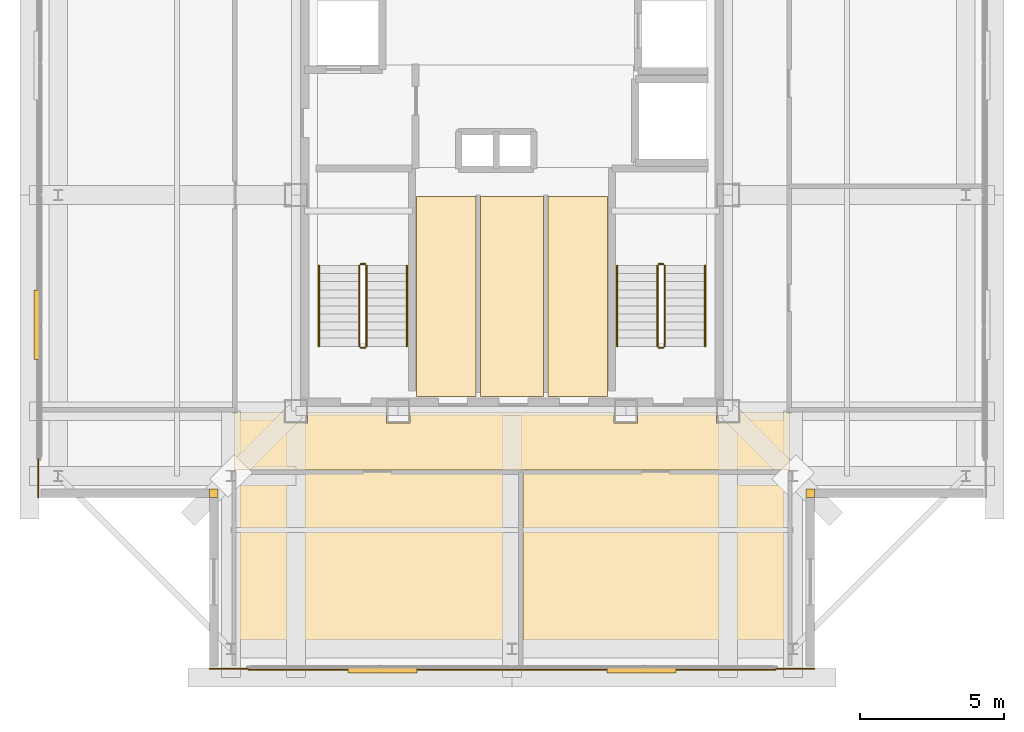
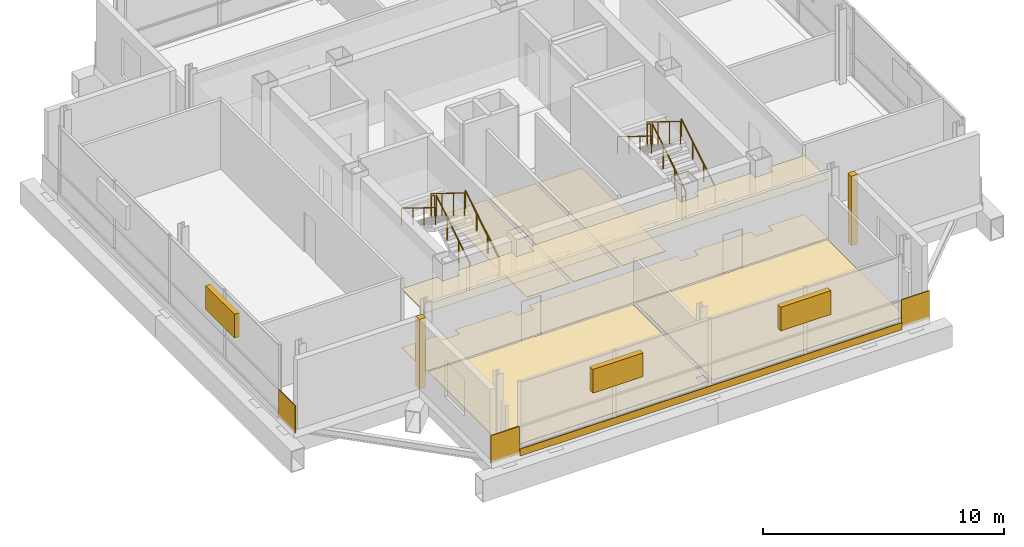
# One storey, part 11 of 12: 13 coverings, 12 railings, 3 shading devices.
"""IFC4 building model written with IfcOpenShell, lengths in metres."""

import ifcopenshell
import ifcopenshell.guid

model = None  # the IFC model being written
_history = None  # IfcOwnerHistory: only IFC2X3 demands one
_inside = {}  # id of a spatial element -> (the spatial element, [elements in it])
_under = {}  # id of a project, library or spatial element -> (it, [spatial elements below it])
_declared = {}  # id of a project -> (the project, [libraries it declares])
_typed = {}  # id of a type object -> (the type object, [elements of that type])
_made_of = {}  # id of a material, layer set ... -> (it, [elements and type objects made of it])


def new_model(schema):
    """Start an empty IFC model of exactly this schema.

    Asked for "IFC4X3", IfcOpenShell would pick the latest addendum, in which some entities
    have other attributes; the version numbers below select the first issue.
    IFC2X3 requires an IfcOwnerHistory on every rooted entity: one is made here for all.
    """
    global model, _history
    if schema == "IFC4X3":
        model = ifcopenshell.file(schema_version=(4, 3, 0, 0))
    else:
        model = ifcopenshell.file(schema=schema)
    _inside.clear()
    _under.clear()
    _declared.clear()
    _typed.clear()
    _made_of.clear()
    _history = None
    if model.schema == "IFC2X3":
        org = make("IfcOrganization", Name="unknown")
        user = make(
            "IfcPersonAndOrganization",
            ThePerson=make("IfcPerson", FamilyName="unknown"),
            TheOrganization=org,
        )
        app = make(
            "IfcApplication",
            ApplicationDeveloper=org,
            Version="unknown",
            ApplicationFullName="unknown",
            ApplicationIdentifier="unknown",
        )
        _history = make(
            "IfcOwnerHistory",
            OwningUser=user,
            OwningApplication=app,
            ChangeAction="ADDED",
            CreationDate=0,
        )
    return model


def make(cls, **values):
    """One entity of the class cls with the attributes given. An attribute that is None is left unset."""
    return model.create_entity(
        cls, **{name: value for name, value in values.items() if value is not None}
    )


def rooted(cls, **values):
    """An entity with a GlobalId (a new one), such as an element, a storey or a relation."""
    return make(cls, GlobalId=ifcopenshell.guid.new(), OwnerHistory=_history, **values)


def si_unit(unit_type, name, prefix=None):
    """IfcSIUnit, for example si_unit("LENGTHUNIT", "METRE", prefix="MILLI")."""
    return make("IfcSIUnit", UnitType=unit_type, Prefix=prefix, Name=name)


def assignment(units):
    """IfcUnitAssignment: the units of a project."""
    return None if units is None else make("IfcUnitAssignment", Units=units)


def point(xyz):
    """IfcCartesianPoint."""
    return None if xyz is None else make("IfcCartesianPoint", Coordinates=xyz)


def direction(xyz):
    """IfcDirection."""
    return None if xyz is None else make("IfcDirection", DirectionRatios=xyz)


def frame(location, z_axis=None, x_axis=None):
    """IfcAxis2Placement3D, a coordinate frame: its origin and axes. An axis left out is left unset."""
    return make(
        "IfcAxis2Placement3D",
        Location=point(location),
        Axis=direction(z_axis),
        RefDirection=direction(x_axis),
    )


def frame_2d(location, x_axis=None):
    """IfcAxis2Placement2D, a coordinate frame in the plane: its origin and x axis."""
    return make(
        "IfcAxis2Placement2D", Location=point(location), RefDirection=direction(x_axis)
    )


def origin():
    """The frame at (0, 0, 0) with its axes left unset."""
    return frame((0.0, 0.0, 0.0))


def origin_2d():
    """The frame at (0, 0) in the plane with its x axis left unset."""
    return frame_2d((0.0, 0.0))


def place(relative_to, where):
    """IfcLocalPlacement: puts the frame where relative to a parent placement (None: the world)."""
    return make(
        "IfcLocalPlacement", PlacementRelTo=relative_to, RelativePlacement=where
    )


def context(
    kind, dimensions, precision=None, world=None, true_north=None, identifier=None
):
    """IfcGeometricRepresentationContext, for example the 3D "Model" context."""
    return make(
        "IfcGeometricRepresentationContext",
        ContextIdentifier=identifier,
        ContextType=kind,
        CoordinateSpaceDimension=dimensions,
        Precision=precision,
        WorldCoordinateSystem=world,
        TrueNorth=true_north,
    )


def subcontext(parent, identifier, kind, view, scale=None):
    """IfcGeometricRepresentationSubContext, for example "Body" below "Model"."""
    return make(
        "IfcGeometricRepresentationSubContext",
        ContextIdentifier=identifier,
        ContextType=kind,
        ParentContext=parent,
        TargetScale=scale,
        TargetView=view,
    )


def project(units=None, contexts=None):
    """IfcProject with its units and contexts."""
    return rooted(
        "IfcProject",
        Name="project",
        RepresentationContexts=contexts,
        UnitsInContext=assignment(units),
    )


def spatial(cls, under=None, at=None, **own):
    """A site, building, storey or space (cls), placed at a placement, below another one or the project."""
    s = rooted(cls, ObjectPlacement=at, **own)
    if under is not None:
        _under.setdefault(under.id(), (under, []))[1].append(s)
    return s


def polyline(points):
    """IfcPolyline through the points."""
    return make("IfcPolyline", Points=[point(p) for p in points])


def profile(cls, at=None, kind="AREA", **sizes):
    """A parametric profile (cls). Its sizes go by their IFC names, for example OverallWidth=200.0."""
    return make(cls, ProfileType=kind, Position=at, **sizes)


def rectangle(**sizes):
    """IfcRectangleProfileDef."""
    return profile("IfcRectangleProfileDef", **sizes)


def circle(**sizes):
    """IfcCircleProfileDef."""
    return profile("IfcCircleProfileDef", **sizes)


def outline(outer, holes=None, kind="AREA"):
    """IfcArbitraryClosedProfileDef: a profile drawn as a closed curve; with holes, ...WithVoids."""
    if holes is None:
        return make("IfcArbitraryClosedProfileDef", ProfileType=kind, OuterCurve=outer)
    return make(
        "IfcArbitraryProfileDefWithVoids",
        ProfileType=kind,
        OuterCurve=outer,
        InnerCurves=holes,
    )


def extrude(swept, where, along, depth):
    """IfcExtrudedAreaSolid: the profile swept, set in the frame where, extruded along a direction by depth."""
    return make(
        "IfcExtrudedAreaSolid",
        SweptArea=swept,
        Position=where,
        ExtrudedDirection=direction(along),
        Depth=depth,
    )


def shape(context_of_items, identifier, shape_type, items):
    """IfcShapeRepresentation: the items that make up one representation, for example the "Body"."""
    return make(
        "IfcShapeRepresentation",
        ContextOfItems=context_of_items,
        RepresentationIdentifier=identifier,
        RepresentationType=shape_type,
        Items=items,
    )


def material(Name=None, Category=None):
    """IfcMaterial."""
    return make("IfcMaterial", Name=Name, Category=Category)


def layer(
    of_material, thickness, ventilated=None, Name=None, Category=None, Priority=None
):
    """IfcMaterialLayer: one layer of a wall or slab, of a material (None: an air gap)."""
    return make(
        "IfcMaterialLayer",
        Material=of_material,
        LayerThickness=thickness,
        IsVentilated=ventilated,
        Name=Name,
        Category=Category,
        Priority=Priority,
    )


def layer_set(layers, Name=None):
    """IfcMaterialLayerSet."""
    return make("IfcMaterialLayerSet", MaterialLayers=layers, LayerSetName=Name)


def made_of(thing, what):
    """Note that an element or type object is made of a material, layer set ...; save() writes the relation."""
    if what is not None:
        _made_of.setdefault(what.id(), (what, []))[1].append(thing)
    return thing


def type_object(cls, material=None, **own):
    """A type object (cls), such as IfcWallType, which elements share."""
    return made_of(rooted(cls, **own), material)


def element(
    cls,
    number,
    at=None,
    inside=None,
    cuts=None,
    type_object=None,
    material=None,
    context=None,
    identifier="Body",
    shape_type=None,
    held_by="IfcProductDefinitionShape",
    body=None,
    shapes=None,
    **own,
):
    """One element of the class cls, such as IfcWall. Its Tag is "e" and its number.

    at: its placement. inside: the storey or other place that contains it. cuts: it is an
    opening in that element (IfcRelVoidsElement). A single representation is given by context,
    identifier, shape_type and body (its items); several are given by shapes. held_by: the class
    of the entity that holds the representations. save() writes the other relations.
    """
    e = rooted(cls, Tag="e%d" % number, ObjectPlacement=at, **own)
    if body is not None:
        shapes = [shape(context, identifier, shape_type, body)]
    if shapes is not None:
        e.Representation = make(held_by, Representations=shapes)
    if inside is not None:
        _inside.setdefault(inside.id(), (inside, []))[1].append(e)
    if cuts is not None:
        rooted(
            "IfcRelVoidsElement", RelatingBuildingElement=cuts, RelatedOpeningElement=e
        )
    if type_object is not None:
        _typed.setdefault(type_object.id(), (type_object, []))[1].append(e)
    return made_of(e, material)


def aggregate(whole, parts):
    """IfcRelAggregates: a whole, such as a stair, and the parts it consists of."""
    return rooted("IfcRelAggregates", RelatingObject=whole, RelatedObjects=parts)


def save(model, path):
    """Write the relations noted so far, then the file.

    IfcRelAggregates (storeys below a building ...), IfcRelContainedInSpatialStructure (elements
    in a storey), IfcRelDefinesByType, IfcRelAssociatesMaterial and IfcRelDeclares: one each for
    every whole, place, type object, material and project.
    """
    for whole, parts in _under.values():
        aggregate(whole, parts)
    for where, things in _inside.values():
        rooted(
            "IfcRelContainedInSpatialStructure",
            RelatedElements=things,
            RelatingStructure=where,
        )
    for kind, things in _typed.values():
        rooted("IfcRelDefinesByType", RelatedObjects=things, RelatingType=kind)
    for what, things in _made_of.values():
        rooted("IfcRelAssociatesMaterial", RelatedObjects=things, RelatingMaterial=what)
    for by, libraries in _declared.values():
        rooted("IfcRelDeclares", RelatingContext=by, RelatedDefinitions=libraries)
    model.write(path)


model = new_model("IFC4")

# Units and contexts
model_context = context("Model", 3, precision=1e-05, world=origin(), true_north=direction((0.0, 1.0)))
body_context = subcontext(model_context, "Body", "Model", "MODEL_VIEW")
ifc_project = project(units=[si_unit("LENGTHUNIT", "METRE"), si_unit("AREAUNIT", "SQUARE_METRE"), si_unit("VOLUMEUNIT", "CUBIC_METRE"), si_unit("PLANEANGLEUNIT", "RADIAN"), si_unit("MASSUNIT", "GRAM", prefix="KILO")], contexts=[model_context])

# Site, building, storey
site_placement = place(None, origin())
site = spatial("IfcSite", under=ifc_project, at=site_placement, CompositionType="ELEMENT")
building_placement = place(site_placement, origin())
building = spatial("IfcBuilding", under=site, at=building_placement, Name="Trevonay Congress Spire", CompositionType="ELEMENT")
storey_placement = place(building_placement, frame((0.0, 0.0, 308.39990234375)))
storey = spatial("IfcBuildingStorey", under=building, at=storey_placement, Name="L81", CompositionType="ELEMENT", Elevation=308.39990234375)

# Coverings
ifc_material_1 = material(Name="Acoustic Mineral Fibre Board", Category="gypsum")
ifc_layer_1 = layer(ifc_material_1, 0.02490234375, Name="Acoustic Mineral Fibre Board")
ifc_layer_set_1 = layer_set([ifc_layer_1], Name="Acoustic Mineral Fibre Board")
covering_type_1 = type_object("IfcCoveringType", Name="COV-CEIL-ACOUSTIC", PredefinedType="CEILING", material=ifc_layer_set_1)
covering_1_placement = place(storey_placement, frame((0.0, 0.0, 2.97021484375)))
element("IfcCovering", 1, at=covering_1_placement, inside=storey, type_object=covering_type_1, Name="L81 Crown Gallery Corridor South acoustic suspended ceiling", PredefinedType="CEILING", context=body_context, shape_type="SweptSolid", body=[
    extrude(outline(polyline([(-9.570068359375, -9.550048828125), (-9.570068359375, -9.54345703125), (-9.64990234375, -9.54345703125), (-9.64990234375, -7.550048828125), (-7.909912109375, -7.550048828125), (-7.909912109375, -7.909912109375), (-7.090087890625, -7.909912109375), (-7.090087890625, -7.550048828125), (-4.360107421875, -7.550048828125), (-4.360107421875, -7.909912109375), (-3.5400390625, -7.909912109375), (-3.5400390625, -7.550048828125), (3.5400390625, -7.550048828125), (3.5400390625, -7.909912109375), (4.360107421875, -7.909912109375), (4.360107421875, -7.550048828125), (7.090087890625, -7.550048828125), (7.090087890625, -7.909912109375), (7.909912109375, -7.909912109375), (7.909912109375, -7.550048828125), (9.64990234375, -7.550048828125), (9.64990234375, -9.54345703125), (9.570068359375, -9.54345703125), (9.570068359375, -9.550048828125), (-9.570068359375, -9.550048828125)])), origin(), (0.0, 0.0, 1.0), 0.02490234375),
])
ifc_material_2 = material(Name="Polished Granite Floor Tile", Category="masonry")
ifc_layer_2 = layer(ifc_material_2, 0.02001953125, Name="Polished Granite Floor Tile")
ifc_layer_set_2 = layer_set([ifc_layer_2], Name="Polished Granite Floor Tile")
covering_type_2 = type_object("IfcCoveringType", Name="COV-FLOOR-STONE", PredefinedType="FLOORING", material=ifc_layer_set_2)
covering_2_placement = place(storey_placement, origin())
element("IfcCovering", 2, at=covering_2_placement, inside=storey, type_object=covering_type_2, Name="L81 Core AHU Fan Plant Room floor finish", PredefinedType="FLOORING", context=body_context, shape_type="SweptSolid", body=[
    extrude(outline(polyline([(-3.320068359375, -7.0), (-1.25, -7.0), (-1.25, -0.050048828125), (-3.320068359375, -0.050048828125), (-3.320068359375, -7.0)])), origin(), (0.0, 0.0, 1.0), 0.02001953125),
])
covering_3_placement = place(storey_placement, origin())
element("IfcCovering", 3, at=covering_3_placement, inside=storey, type_object=covering_type_2, Name="L81 Core IT Comms Store floor finish", PredefinedType="FLOORING", context=body_context, shape_type="SweptSolid", body=[
    extrude(outline(polyline([(-1.090087890625, -7.0), (1.090087890625, -7.0), (1.090087890625, -0.050048828125), (-1.090087890625, -0.050048828125), (-1.090087890625, -7.0)])), origin(), (0.0, 0.0, 1.0), 0.02001953125),
])
covering_4_placement = place(storey_placement, origin())
element("IfcCovering", 4, at=covering_4_placement, inside=storey, type_object=covering_type_2, Name="L81 Housekeeping Linen Store floor finish", PredefinedType="FLOORING", context=body_context, shape_type="SweptSolid", body=[
    extrude(outline(polyline([(1.25, -7.0), (3.320068359375, -7.0), (3.320068359375, -0.050048828125), (1.25, -0.050048828125), (1.25, -7.0)])), origin(), (0.0, 0.0, 1.0), 0.02001953125),
])
covering_5_placement = place(storey_placement, origin())
element("IfcCovering", 5, at=covering_5_placement, inside=storey, type_object=covering_type_2, Name="L81 Crown Gallery Corridor South floor finish", PredefinedType="FLOORING", context=body_context, shape_type="SweptSolid", body=[
    extrude(outline(polyline([(-9.570068359375, -9.550048828125), (-9.570068359375, -9.54345703125), (-9.64990234375, -9.54345703125), (-9.64990234375, -7.550048828125), (-7.909912109375, -7.550048828125), (-7.909912109375, -7.909912109375), (-7.090087890625, -7.909912109375), (-7.090087890625, -7.550048828125), (-4.360107421875, -7.550048828125), (-4.360107421875, -7.909912109375), (-3.5400390625, -7.909912109375), (-3.5400390625, -7.550048828125), (3.5400390625, -7.550048828125), (3.5400390625, -7.909912109375), (4.360107421875, -7.909912109375), (4.360107421875, -7.550048828125), (7.090087890625, -7.550048828125), (7.090087890625, -7.909912109375), (7.909912109375, -7.909912109375), (7.909912109375, -7.550048828125), (9.64990234375, -7.550048828125), (9.64990234375, -9.54345703125), (9.570068359375, -9.54345703125), (9.570068359375, -9.550048828125), (-9.570068359375, -9.550048828125)])), origin(), (0.0, 0.0, 1.0), 0.02001953125),
])
covering_6_placement = place(storey_placement, origin())
element("IfcCovering", 6, at=covering_6_placement, inside=storey, type_object=covering_type_2, Name="L81 Tuned Mass Damper Chamber South floor finish", PredefinedType="FLOORING", context=body_context, shape_type="SweptSolid", body=[
    extrude(outline(polyline([(0.219970703125, -9.6201171875), (0.219970703125, -16.050048828125), (-9.570068359375, -16.050048828125), (-9.570068359375, -9.95654296875), (-9.570068359375, -9.6201171875), (0.219970703125, -9.6201171875)]), holes=[polyline([(-0.1708984375, -15.946044921875), (0.1708984375, -15.946044921875), (0.1708984375, -15.553955078125), (-0.1708984375, -15.553955078125), (-0.1708984375, -15.946044921875)])]), origin(), (0.0, 0.0, 1.0), 0.02001953125),
])
covering_7_placement = place(storey_placement, origin())
element("IfcCovering", 7, at=covering_7_placement, inside=storey, type_object=covering_type_2, Name="L81 Damper Hydraulic Control Plant floor finish", PredefinedType="FLOORING", context=body_context, shape_type="SweptSolid", body=[
    extrude(outline(polyline([(9.570068359375, -16.050048828125), (0.3798828125, -16.050048828125), (0.3798828125, -9.6201171875), (9.570068359375, -9.6201171875), (9.570068359375, -9.95654296875), (9.570068359375, -16.050048828125)])), origin(), (0.0, 0.0, 1.0), 0.02001953125),
])
ifc_material_3 = material(Name="Pale Anodised Aluminium EN AW-6063-T6", Category="aluminium")
ifc_layer_3 = layer(ifc_material_3, 0.0400390625, Name="Pale Anodised Aluminium EN AW-6063-T6")
ifc_layer_set_3 = layer_set([ifc_layer_3], Name="Pale Anodised Aluminium EN AW-6063-T6")
covering_type_3 = type_object("IfcCoveringType", Name="COV-SPANDREL-PALE-METAL", PredefinedType="CLADDING", material=ifc_layer_set_3)
covering_8_placement = place(storey_placement, frame((-9.14990234375, -16.47998046875, -0.239990234375), z_axis=(0.0, 0.0, 1.0), x_axis=(1.0, 0.0, 0.0)))
element("IfcCovering", 8, at=covering_8_placement, inside=storey, type_object=covering_type_3, Name="L81 S pale-metal slab-edge spandrel cladding", PredefinedType="CLADDING", context=body_context, shape_type="SweptSolid", body=[
    extrude(rectangle(XDim=18.2998046875, YDim=0.0400390625, at=frame_2d((9.14990234375, 0.0))), origin(), (0.0, 0.0, 1.0), 0.360107421875),
])
covering_9_placement = place(storey_placement, origin())
element("IfcCovering", 9, at=covering_9_placement, inside=storey, type_object=covering_type_3, Name="L81 SW re-entrant notch corner closure trim", PredefinedType="CLADDING", context=body_context, shape_type="SweptSolid", body=[
    extrude(outline(polyline([(-10.5, -10.5), (-10.199951171875, -10.5), (-10.199951171875, -10.199951171875), (-10.5, -10.199951171875), (-10.5, -10.5)])), origin(), (0.0, 0.0, 1.0), 3.52001953125),
])
for number, where, z_axis, x_axis, name in (
    (10, (-16.43994140625, -9.14990234375, -0.14990234375), (0.0, 0.0, 1.0), (0.0, -1.0, 0.0), "L81 SW corner pier spandrel cladding 1"),
    (11, (-9.14990234375, -16.43994140625, -0.14990234375), (0.0, 0.0, 1.0), (-1.0, 0.0, 0.0), "L81 SW corner pier spandrel cladding 2"),
):
    element("IfcCovering", number, at=place(storey_placement, frame(where, z_axis=z_axis, x_axis=x_axis)), inside=storey, type_object=covering_type_3, Name=name, PredefinedType="CLADDING", context=body_context, shape_type="SweptSolid", body=[
        extrude(rectangle(XDim=1.35009765625, YDim=0.0400390625, at=frame_2d((0.675048828125, 0.0))), origin(), (0.0, 0.0, 1.0), 1.39990234375),
    ])
covering_10_placement = place(storey_placement, origin())
element("IfcCovering", 12, at=covering_10_placement, inside=storey, type_object=covering_type_3, Name="L81 SE re-entrant notch corner closure trim", PredefinedType="CLADDING", context=body_context, shape_type="SweptSolid", body=[
    extrude(outline(polyline([(10.199951171875, -10.5), (10.5, -10.5), (10.5, -10.199951171875), (10.199951171875, -10.199951171875), (10.199951171875, -10.5)])), origin(), (0.0, 0.0, 1.0), 3.52001953125),
])
covering_11_placement = place(storey_placement, frame((9.14990234375, -16.43994140625, -0.14990234375), z_axis=(0.0, 0.0, 1.0), x_axis=(1.0, 0.0, 0.0)))
element("IfcCovering", 13, at=covering_11_placement, inside=storey, type_object=covering_type_3, Name="L81 SE corner pier spandrel cladding 2", PredefinedType="CLADDING", context=body_context, shape_type="SweptSolid", body=[
    extrude(rectangle(XDim=1.35009765625, YDim=0.0400390625, at=frame_2d((0.675048828125, 0.0))), origin(), (0.0, 0.0, 1.0), 1.39990234375),
])

# Railings
railing_type_1 = type_object("IfcRailingType", Name="RAL-STAIR-GUARD-110", PredefinedType="GUARDRAIL", material=ifc_material_3)
railing_1_placement = place(storey_placement, frame((-5.050048828125, -5.25, 0.1728515625)))
element("IfcRailing", 14, at=railing_1_placement, inside=storey, type_object=railing_type_1, Name="L81 ST-1 stair guard 1", PredefinedType="GUARDRAIL", context=body_context, shape_type="SweptSolid", body=[
    extrude(circle(Radius=0.02392578125, at=origin_2d()), frame((0.0, 0.0, 1.1259765625), z_axis=(0.0, 0.851089632645, 0.525020415988), x_axis=(-1.0, 0.0, 0.0)), (0.0, 0.0, 1.0), 3.2900390625),
    extrude(circle(Radius=0.02099609375, at=origin_2d()), origin(), (0.0, 0.0, 1.0), 1.101806640625),
    extrude(circle(Radius=0.02099609375, at=origin_2d()), frame((0.0, 0.933349609375, 0.57568359375)), (0.0, 0.0, 1.0), 1.101806640625),
    extrude(circle(Radius=0.02099609375, at=origin_2d()), frame((0.0, 1.86669921875, 1.151611328125)), (0.0, 0.0, 1.0), 1.101806640625),
    extrude(circle(Radius=0.02099609375, at=origin_2d()), frame((0.0, 2.800048828125, 1.727294921875)), (0.0, 0.0, 1.0), 1.101806640625),
])
railing_2_placement = place(storey_placement, frame((-5.10009765625, -2.39990234375, 1.900146484375)))
element("IfcRailing", 15, at=railing_2_placement, inside=storey, type_object=railing_type_1, Name="L81 ST-1 stair guard 2", PredefinedType="GUARDRAIL", context=body_context, shape_type="SweptSolid", body=[
    extrude(circle(Radius=0.02392578125, at=origin_2d()), frame((0.0, 0.0, 1.1259765625), z_axis=(-1.0, 0.0, 0.0), x_axis=(0.0, -1.0, 0.0)), (0.0, 0.0, 1.0), 0.14990234375),
    extrude(circle(Radius=0.02099609375, at=origin_2d()), origin(), (0.0, 0.0, 1.0), 1.101806640625),
    extrude(circle(Radius=0.02099609375, at=origin_2d()), frame((-0.14990234375, 0.0, 0.0)), (0.0, 0.0, 1.0), 1.101806640625),
])
railing_3_placement = place(storey_placement, frame((-5.300048828125, -2.449951171875, 2.07275390625)))
element("IfcRailing", 16, at=railing_3_placement, inside=storey, type_object=railing_type_1, Name="L81 ST-1 stair guard 3", PredefinedType="GUARDRAIL", context=body_context, shape_type="SweptSolid", body=[
    extrude(circle(Radius=0.02392578125, at=origin_2d()), frame((0.0, 0.0, 1.1259765625), z_axis=(0.0, -0.851089632645, 0.525020415988), x_axis=(1.0, 0.0, 0.0)), (0.0, 0.0, 1.0), 3.2900390625),
    extrude(circle(Radius=0.02099609375, at=origin_2d()), origin(), (0.0, 0.0, 1.0), 1.101806640625),
    extrude(circle(Radius=0.02099609375, at=origin_2d()), frame((0.0, -0.933349609375, 0.57568359375)), (0.0, 0.0, 1.0), 1.101806640625),
    extrude(circle(Radius=0.02099609375, at=origin_2d()), frame((0.0, -1.86669921875, 1.151611328125)), (0.0, 0.0, 1.0), 1.101806640625),
    extrude(circle(Radius=0.02099609375, at=origin_2d()), frame((0.0, -2.800048828125, 1.727294921875)), (0.0, 0.0, 1.0), 1.101806640625),
])
railing_4_placement = place(storey_placement, frame((-5.10009765625, -5.300048828125, 0.0)))
element("IfcRailing", 17, at=railing_4_placement, inside=storey, type_object=railing_type_1, Name="L81 ST-1 stair guard 4", PredefinedType="GUARDRAIL", context=body_context, shape_type="SweptSolid", body=[
    extrude(circle(Radius=0.02392578125, at=origin_2d()), frame((0.0, 0.0, 1.1259765625), z_axis=(-1.0, 0.0, 0.0), x_axis=(0.0, -1.0, 0.0)), (0.0, 0.0, 1.0), 0.14990234375),
    extrude(circle(Radius=0.02099609375, at=origin_2d()), origin(), (0.0, 0.0, 1.0), 1.101806640625),
    extrude(circle(Radius=0.02099609375, at=origin_2d()), frame((-0.14990234375, 0.0, 0.0)), (0.0, 0.0, 1.0), 1.101806640625),
])
railing_5_placement = place(storey_placement, frame((5.300048828125, -5.25, 0.1728515625)))
element("IfcRailing", 18, at=railing_5_placement, inside=storey, type_object=railing_type_1, Name="L81 ST-2 stair guard 1", PredefinedType="GUARDRAIL", context=body_context, shape_type="SweptSolid", body=[
    extrude(circle(Radius=0.02392578125, at=origin_2d()), frame((0.0, 0.0, 1.1259765625), z_axis=(0.0, 0.851089632645, 0.525020415988), x_axis=(-1.0, 0.0, 0.0)), (0.0, 0.0, 1.0), 3.2900390625),
    extrude(circle(Radius=0.02099609375, at=origin_2d()), origin(), (0.0, 0.0, 1.0), 1.101806640625),
    extrude(circle(Radius=0.02099609375, at=origin_2d()), frame((0.0, 0.933349609375, 0.57568359375)), (0.0, 0.0, 1.0), 1.101806640625),
    extrude(circle(Radius=0.02099609375, at=origin_2d()), frame((0.0, 1.86669921875, 1.151611328125)), (0.0, 0.0, 1.0), 1.101806640625),
    extrude(circle(Radius=0.02099609375, at=origin_2d()), frame((0.0, 2.800048828125, 1.727294921875)), (0.0, 0.0, 1.0), 1.101806640625),
])
railing_6_placement = place(storey_placement, frame((5.25, -2.39990234375, 1.900146484375)))
element("IfcRailing", 19, at=railing_6_placement, inside=storey, type_object=railing_type_1, Name="L81 ST-2 stair guard 2", PredefinedType="GUARDRAIL", context=body_context, shape_type="SweptSolid", body=[
    extrude(circle(Radius=0.02392578125, at=origin_2d()), frame((0.0, 0.0, 1.1259765625), z_axis=(-1.0, 0.0, 0.0), x_axis=(0.0, -1.0, 0.0)), (0.0, 0.0, 1.0), 0.14990234375),
    extrude(circle(Radius=0.02099609375, at=origin_2d()), origin(), (0.0, 0.0, 1.0), 1.101806640625),
    extrude(circle(Radius=0.02099609375, at=origin_2d()), frame((-0.14990234375, 0.0, 0.0)), (0.0, 0.0, 1.0), 1.101806640625),
])
railing_7_placement = place(storey_placement, frame((5.050048828125, -2.449951171875, 2.07275390625)))
element("IfcRailing", 20, at=railing_7_placement, inside=storey, type_object=railing_type_1, Name="L81 ST-2 stair guard 3", PredefinedType="GUARDRAIL", context=body_context, shape_type="SweptSolid", body=[
    extrude(circle(Radius=0.02392578125, at=origin_2d()), frame((0.0, 0.0, 1.1259765625), z_axis=(0.0, -0.851089632645, 0.525020415988), x_axis=(1.0, 0.0, 0.0)), (0.0, 0.0, 1.0), 3.2900390625),
    extrude(circle(Radius=0.02099609375, at=origin_2d()), origin(), (0.0, 0.0, 1.0), 1.101806640625),
    extrude(circle(Radius=0.02099609375, at=origin_2d()), frame((0.0, -0.933349609375, 0.57568359375)), (0.0, 0.0, 1.0), 1.101806640625),
    extrude(circle(Radius=0.02099609375, at=origin_2d()), frame((0.0, -1.86669921875, 1.151611328125)), (0.0, 0.0, 1.0), 1.101806640625),
    extrude(circle(Radius=0.02099609375, at=origin_2d()), frame((0.0, -2.800048828125, 1.727294921875)), (0.0, 0.0, 1.0), 1.101806640625),
])
railing_8_placement = place(storey_placement, frame((5.25, -5.300048828125, 0.0)))
element("IfcRailing", 21, at=railing_8_placement, inside=storey, type_object=railing_type_1, Name="L81 ST-2 stair guard 4", PredefinedType="GUARDRAIL", context=body_context, shape_type="SweptSolid", body=[
    extrude(circle(Radius=0.02392578125, at=origin_2d()), frame((0.0, 0.0, 1.1259765625), z_axis=(-1.0, 0.0, 0.0), x_axis=(0.0, -1.0, 0.0)), (0.0, 0.0, 1.0), 0.14990234375),
    extrude(circle(Radius=0.02099609375, at=origin_2d()), origin(), (0.0, 0.0, 1.0), 1.101806640625),
    extrude(circle(Radius=0.02099609375, at=origin_2d()), frame((-0.14990234375, 0.0, 0.0)), (0.0, 0.0, 1.0), 1.101806640625),
])
railing_type_2 = type_object("IfcRailingType", Name="RAL-STAIR-HANDRAIL", PredefinedType="HANDRAIL", material=ifc_material_3)
railing_9_placement = place(storey_placement, frame((-3.64990234375, -5.25, 0.1728515625)))
element("IfcRailing", 22, at=railing_9_placement, inside=storey, type_object=railing_type_2, Name="L81 ST-1 stair handrail 1", PredefinedType="HANDRAIL", context=body_context, shape_type="SweptSolid", body=[
    extrude(circle(Radius=0.02392578125, at=origin_2d()), frame((0.0, 0.0, 0.8759765625), z_axis=(0.0, 0.851089632645, 0.525020415988), x_axis=(-1.0, 0.0, 0.0)), (0.0, 0.0, 1.0), 3.2900390625),
    extrude(circle(Radius=0.02099609375, at=origin_2d()), origin(), (0.0, 0.0, 1.0), 0.851806640625),
    extrude(circle(Radius=0.02099609375, at=origin_2d()), frame((0.0, 0.933349609375, 0.57568359375)), (0.0, 0.0, 1.0), 0.851806640625),
    extrude(circle(Radius=0.02099609375, at=origin_2d()), frame((0.0, 1.86669921875, 1.151611328125)), (0.0, 0.0, 1.0), 0.851806640625),
    extrude(circle(Radius=0.02099609375, at=origin_2d()), frame((0.0, 2.800048828125, 1.727294921875)), (0.0, 0.0, 1.0), 0.851806640625),
])
railing_10_placement = place(storey_placement, frame((-6.699951171875, -2.449951171875, 2.07275390625)))
element("IfcRailing", 23, at=railing_10_placement, inside=storey, type_object=railing_type_2, Name="L81 ST-1 stair handrail 2", PredefinedType="HANDRAIL", context=body_context, shape_type="SweptSolid", body=[
    extrude(circle(Radius=0.02392578125, at=origin_2d()), frame((0.0, 0.0, 0.8759765625), z_axis=(0.0, -0.851089632645, 0.525020415988), x_axis=(1.0, 0.0, 0.0)), (0.0, 0.0, 1.0), 3.2900390625),
    extrude(circle(Radius=0.02099609375, at=origin_2d()), origin(), (0.0, 0.0, 1.0), 0.851806640625),
    extrude(circle(Radius=0.02099609375, at=origin_2d()), frame((0.0, -0.933349609375, 0.57568359375)), (0.0, 0.0, 1.0), 0.851806640625),
    extrude(circle(Radius=0.02099609375, at=origin_2d()), frame((0.0, -1.86669921875, 1.151611328125)), (0.0, 0.0, 1.0), 0.851806640625),
    extrude(circle(Radius=0.02099609375, at=origin_2d()), frame((0.0, -2.800048828125, 1.727294921875)), (0.0, 0.0, 1.0), 0.851806640625),
])
railing_11_placement = place(storey_placement, frame((6.699951171875, -5.25, 0.1728515625)))
element("IfcRailing", 24, at=railing_11_placement, inside=storey, type_object=railing_type_2, Name="L81 ST-2 stair handrail 1", PredefinedType="HANDRAIL", context=body_context, shape_type="SweptSolid", body=[
    extrude(circle(Radius=0.02392578125, at=origin_2d()), frame((0.0, 0.0, 0.8759765625), z_axis=(0.0, 0.851089632645, 0.525020415988), x_axis=(-1.0, 0.0, 0.0)), (0.0, 0.0, 1.0), 3.2900390625),
    extrude(circle(Radius=0.02099609375, at=origin_2d()), origin(), (0.0, 0.0, 1.0), 0.851806640625),
    extrude(circle(Radius=0.02099609375, at=origin_2d()), frame((0.0, 0.933349609375, 0.57568359375)), (0.0, 0.0, 1.0), 0.851806640625),
    extrude(circle(Radius=0.02099609375, at=origin_2d()), frame((0.0, 1.86669921875, 1.151611328125)), (0.0, 0.0, 1.0), 0.851806640625),
    extrude(circle(Radius=0.02099609375, at=origin_2d()), frame((0.0, 2.800048828125, 1.727294921875)), (0.0, 0.0, 1.0), 0.851806640625),
])
railing_12_placement = place(storey_placement, frame((3.64990234375, -2.449951171875, 2.07275390625)))
element("IfcRailing", 25, at=railing_12_placement, inside=storey, type_object=railing_type_2, Name="L81 ST-2 stair handrail 2", PredefinedType="HANDRAIL", context=body_context, shape_type="SweptSolid", body=[
    extrude(circle(Radius=0.02392578125, at=origin_2d()), frame((0.0, 0.0, 0.8759765625), z_axis=(0.0, -0.851089632645, 0.525020415988), x_axis=(1.0, 0.0, 0.0)), (0.0, 0.0, 1.0), 3.2900390625),
    extrude(circle(Radius=0.02099609375, at=origin_2d()), origin(), (0.0, 0.0, 1.0), 0.851806640625),
    extrude(circle(Radius=0.02099609375, at=origin_2d()), frame((0.0, -0.933349609375, 0.57568359375)), (0.0, 0.0, 1.0), 0.851806640625),
    extrude(circle(Radius=0.02099609375, at=origin_2d()), frame((0.0, -1.86669921875, 1.151611328125)), (0.0, 0.0, 1.0), 0.851806640625),
    extrude(circle(Radius=0.02099609375, at=origin_2d()), frame((0.0, -2.800048828125, 1.727294921875)), (0.0, 0.0, 1.0), 0.851806640625),
])

# Shading devices
shading_device_type = type_object("IfcShadingDeviceType", Name="SHD-LOUVRE-PLANT-ALUM", PredefinedType="USERDEFINED", material=ifc_material_3)
for number, where, z_axis, x_axis, name in (
    (26, (-4.5, -16.4599609375, 1.80029296875), (0.0, 0.0, 1.0), (1.0, 0.0, 0.0), "L81 S crown plant intake louvre 1"),
    (27, (4.5, -16.4599609375, 1.80029296875), (0.0, 0.0, 1.0), (1.0, 0.0, 0.0), "L81 S crown plant intake louvre 2"),
    (28, (-16.4599609375, -4.5, 1.80029296875), (0.0, 0.0, 1.0), (0.0, 1.0, 0.0), "L81 W crown plant intake louvre 1"),
):
    element("IfcShadingDevice", number, at=place(storey_placement, frame(where, z_axis=z_axis, x_axis=x_axis)), inside=storey, type_object=shading_device_type, Name=name, ObjectType="LOUVRE", PredefinedType="USERDEFINED", context=body_context, shape_type="SweptSolid", body=[
        extrude(rectangle(XDim=2.39990234375, YDim=0.25, at=origin_2d()), origin(), (0.0, 0.0, 1.0), 1.199951171875),
    ])

save(model, "model.ifc")
